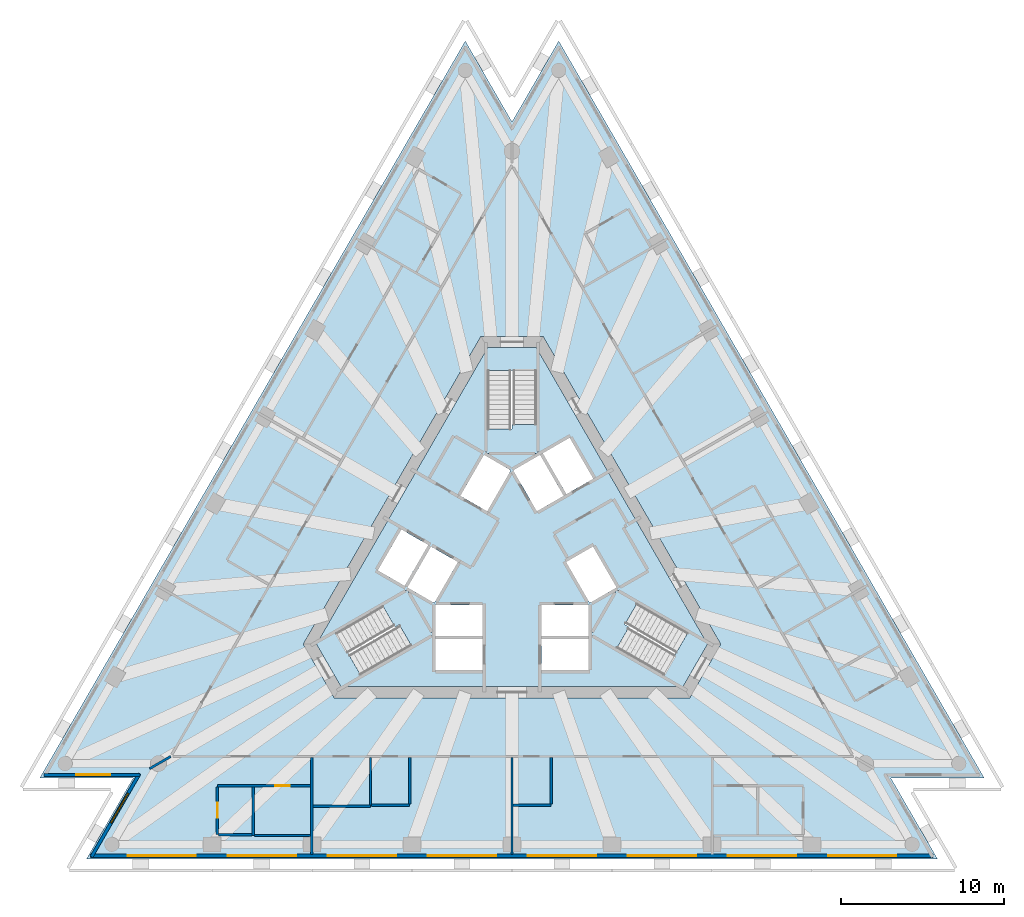
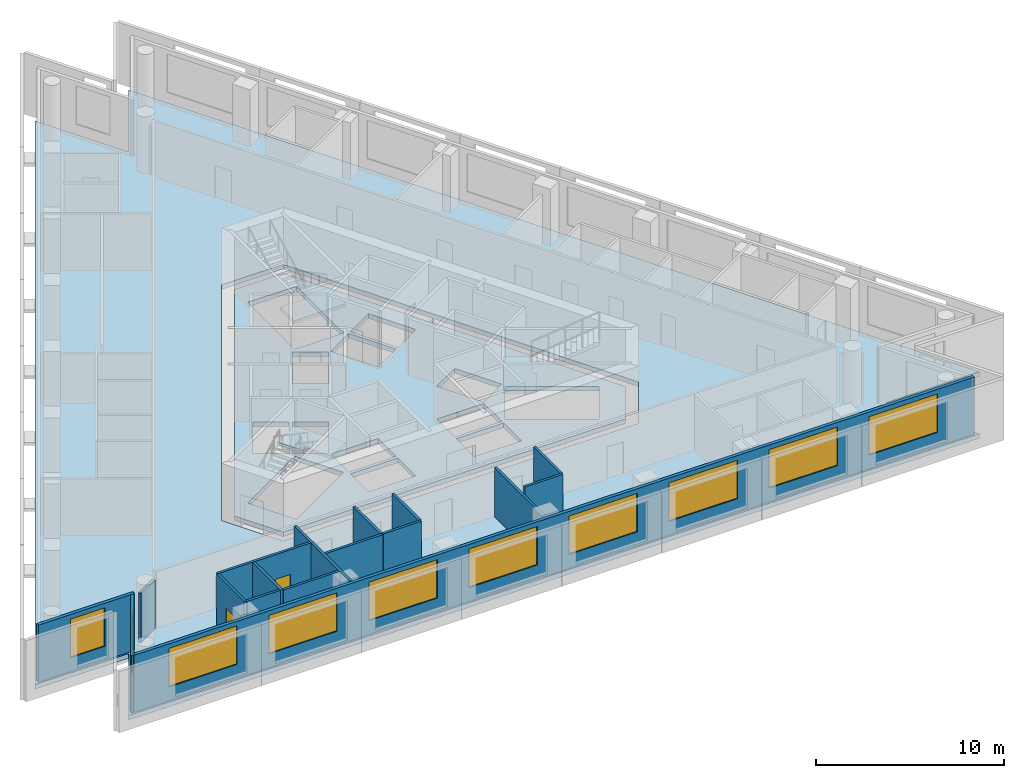
# One storey, part 2 of 9: 17 walls, 10 windows, 5 slabs, 2 doors, 12 openings, 3 elements without a shape of their own.
"""IFC4 building model written with IfcOpenShell, lengths in metres."""

from ifc_helpers import new_model, si_unit, direction, frame, frame_2d, origin, place, context, subcontext, project, spatial, polyline, rectangle, outline, extrude, material, layer, layer_set, layer_usage, type_object, element, fill, aggregate, save


model = new_model("IFC4")

# Units and contexts
model_context = context("Model", 3, precision=1e-05, world=origin(), true_north=direction((0.0, 1.0)))
body_context = subcontext(model_context, "Body", "Model", "MODEL_VIEW")
ifc_project = project(units=[si_unit("LENGTHUNIT", "METRE"), si_unit("AREAUNIT", "SQUARE_METRE"), si_unit("VOLUMEUNIT", "CUBIC_METRE"), si_unit("PLANEANGLEUNIT", "RADIAN"), si_unit("MASSUNIT", "GRAM", prefix="KILO")], contexts=[model_context])

# Site, building, storey
site_placement = place(None, origin())
site = spatial("IfcSite", under=ifc_project, at=site_placement, CompositionType="ELEMENT")
building_placement = place(site_placement, origin())
building = spatial("IfcBuilding", under=site, at=building_placement, Name="Triada Interchange Tower", CompositionType="ELEMENT")
storey_placement = place(building_placement, frame((0.0, 0.0, 207.300048828125)))
storey = spatial("IfcBuildingStorey", under=building, at=storey_placement, Name="L48", CompositionType="ELEMENT", Elevation=207.300048828125)

# Slabs
ifc_material_1 = material(Name="Concrete C50/60", Category="concrete")
ifc_layer_1 = layer(ifc_material_1, 0.300048828125)
ifc_layer_set_1 = layer_set([ifc_layer_1], Name="Floor slab 300")
slab_type_1 = type_object("IfcSlabType", Name="Floor slab 300", PredefinedType="FLOOR", material=ifc_layer_set_1)
slab_1_placement = place(storey_placement, frame((0.0, 0.0, -0.300048828125)))
element("IfcSlab", 1, at=slab_1_placement, inside=storey, type_object=slab_type_1, Name="Floor slab L48", PredefinedType="FLOOR", context=body_context, shape_type="SweptSolid", body=[
    extrude(outline(polyline([(-2.868896484375, 31.8349609375), (-29.0048828125, -13.43310546875), (-23.26708984375, -13.43310546875), (-26.135986328125, -18.402099609375), (26.135986328125, -18.402099609375), (23.26708984375, -13.43310546875), (29.0048828125, -13.43310546875), (2.868896484375, 31.8349609375), (0.0, 26.866943359375), (-2.868896484375, 31.8349609375)]), holes=[polyline([(1.905029296875, 13.699951171875), (-1.905029296875, 13.699951171875), (-12.81689453125, -5.199951171875), (-10.912109375, -8.5), (10.912109375, -8.5), (12.81689453125, -5.199951171875), (1.905029296875, 13.699951171875)])]), origin(), (0.0, 0.0, 1.0), 0.300048828125),
])
slab_2_placement = place(storey_placement, frame((0.0, 0.0, -0.300048828125)))
element("IfcSlab", 2, at=slab_2_placement, inside=storey, type_object=slab_type_1, Name="Core floor slab L48 1", PredefinedType="FLOOR", context=body_context, shape_type="SweptSolid", body=[
    extrude(outline(polyline([(12.009033203125, -5.199951171875), (10.508056640625, -7.800048828125), (-10.508056640625, -7.800048828125), (-12.009033203125, -5.199951171875), (-1.5009765625, 13.0), (1.5009765625, 13.0), (12.009033203125, -5.199951171875)]), holes=[polyline([(9.2958984375, -7.09912109375), (10.7958984375, -4.5009765625), (6.466064453125, -2.0009765625), (4.966064453125, -4.59912109375), (9.2958984375, -7.09912109375)]), polyline([(4.77490234375, -2.669921875), (6.419921875, -1.719970703125), (4.969970703125, 0.791015625), (4.137939453125, 0.31103515625), (3.324951171875, -0.158935546875), (4.77490234375, -2.669921875)]), polyline([(1.89404296875, 6.52001953125), (3.343994140625, 4.009033203125), (4.989013671875, 4.958984375), (3.5390625, 7.469970703125), (1.89404296875, 6.52001953125)]), polyline([(1.800048828125, -4.89990234375), (1.800048828125, -6.4990234375), (1.800048828125, -6.800048828125), (4.699951171875, -6.800048828125), (4.699951171875, -4.89990234375), (1.800048828125, -4.89990234375)]), polyline([(4.699951171875, -2.800048828125), (1.800048828125, -2.800048828125), (1.800048828125, -4.699951171875), (4.699951171875, -4.699951171875), (4.699951171875, -2.800048828125)]), polyline([(0.074951171875, 5.469970703125), (1.52490234375, 2.958984375), (3.169921875, 3.908935546875), (1.719970703125, 6.419921875), (0.074951171875, 5.469970703125)]), polyline([(-1.5, 11.60009765625), (-1.5, 6.60009765625), (1.5, 6.60009765625), (1.5, 11.60009765625), (-1.5, 11.60009765625)]), polyline([(-1.52490234375, 2.958984375), (-0.074951171875, 5.469970703125), (-1.719970703125, 6.419921875), (-3.169921875, 3.908935546875), (-1.52490234375, 2.958984375)]), polyline([(-1.800048828125, -2.800048828125), (-4.699951171875, -2.800048828125), (-4.699951171875, -4.699951171875), (-1.800048828125, -4.699951171875), (-1.800048828125, -2.800048828125)]), polyline([(-4.699951171875, -6.800048828125), (-1.800048828125, -6.800048828125), (-1.800048828125, -6.4990234375), (-1.800048828125, -4.89990234375), (-4.699951171875, -4.89990234375), (-4.699951171875, -6.800048828125)]), polyline([(-3.367919921875, -0.134033203125), (-4.969970703125, 0.791015625), (-6.419921875, -1.719970703125), (-4.77490234375, -2.669921875), (-3.324951171875, -0.158935546875), (-3.367919921875, -0.134033203125)]), polyline([(-10.7958984375, -4.5009765625), (-9.2958984375, -7.09912109375), (-4.966064453125, -4.59912109375), (-6.466064453125, -2.0009765625), (-10.7958984375, -4.5009765625)]), polyline([(-6.593994140625, -1.6201171875), (-5.14404296875, 0.89111328125), (-6.7890625, 1.841064453125), (-8.239013671875, -0.669921875), (-6.593994140625, -1.6201171875)])]), origin(), (0.0, 0.0, 1.0), 0.300048828125),
])

# Stair, slab
ifc_material_2 = material(Name="Concrete C35/45", Category="concrete")
stair_type = type_object("IfcStairType", Name="HALF TURN STAIR 1400", PredefinedType="HALF_TURN_STAIR", material=ifc_material_2)
stair_1_placement = place(storey_placement, origin())
stair_1 = element("IfcStair", 3, at=stair_1_placement, inside=storey, type_object=stair_type, Name="Exit stair S47-1", PredefinedType="HALF_TURN_STAIR")
ifc_layer_2 = layer(ifc_material_2, 0.199951171875)
ifc_layer_set_2 = layer_set([ifc_layer_2], Name="STAIR LANDING 200")
slab_type_2 = type_object("IfcSlabType", Name="STAIR LANDING 200", PredefinedType="LANDING", material=ifc_layer_set_2)
slab_3_placement = place(storey_placement, frame((0.0, 0.0, 1.719970703125)))
slab_3 = element("IfcSlab", 4, at=slab_3_placement, type_object=slab_type_2, Name="S47-1 landing 1", PredefinedType="LANDING", context=body_context, shape_type="SweptSolid", body=[
    extrude(outline(polyline([(1.60009765625, 6.5), (1.60009765625, 8.300048828125), (0.0, 8.300048828125), (0.0, 8.0), (-1.60009765625, 8.0), (-1.60009765625, 6.5), (1.60009765625, 6.5)])), origin(), (0.0, 0.0, 1.0), 0.199951171875),
])
aggregate(stair_1, [slab_3])

stair_2_placement = place(storey_placement, origin())
stair_2 = element("IfcStair", 5, at=stair_2_placement, inside=storey, type_object=stair_type, Name="Exit stair S47-2", PredefinedType="HALF_TURN_STAIR")
slab_4_placement = place(storey_placement, frame((0.0, 0.0, 1.719970703125)))
slab_4 = element("IfcSlab", 6, at=slab_4_placement, type_object=slab_type_2, Name="S47-2 landing 1", PredefinedType="LANDING", context=body_context, shape_type="SweptSolid", body=[
    extrude(outline(polyline([(-6.428955078125, -1.864013671875), (-7.988037109375, -2.763916015625), (-7.18798828125, -4.14990234375), (-6.927978515625, -4.0), (-6.1279296875, -5.385986328125), (-4.8291015625, -4.635986328125), (-6.428955078125, -1.864013671875)])), origin(), (0.0, 0.0, 1.0), 0.199951171875),
])
aggregate(stair_2, [slab_4])

stair_3_placement = place(storey_placement, origin())
stair_3 = element("IfcStair", 7, at=stair_3_placement, inside=storey, type_object=stair_type, Name="Exit stair S47-3", PredefinedType="HALF_TURN_STAIR")
slab_5_placement = place(storey_placement, frame((0.0, 0.0, 1.719970703125)))
slab_5 = element("IfcSlab", 8, at=slab_5_placement, type_object=slab_type_2, Name="S47-3 landing 1", PredefinedType="LANDING", context=body_context, shape_type="SweptSolid", body=[
    extrude(outline(polyline([(4.8291015625, -4.635986328125), (6.387939453125, -5.535888671875), (7.18798828125, -4.14990234375), (6.927978515625, -4.0), (7.72802734375, -2.614013671875), (6.428955078125, -1.864013671875), (4.8291015625, -4.635986328125)])), origin(), (0.0, 0.0, 1.0), 0.199951171875),
])
aggregate(stair_3, [slab_5])

# Wall, opening, window
ifc_material_3 = material(Name="Cement board")
ifc_layer_3 = layer(ifc_material_3, 0.02001953125, Name="Cement board cladding")
ifc_material_4 = material(Name="Sheathing board")
ifc_layer_4 = layer(ifc_material_4, 0.014892578125, Name="Sheathing board")
ifc_material_5 = material(Name="Mineral wool")
ifc_layer_5 = layer(ifc_material_5, 0.14990234375, Name="Mineral wool between steel studs")
ifc_material_6 = material(Name="Gypsum board")
ifc_layer_6 = layer(ifc_material_6, 0.014892578125, Name="Plasterboard lining")
ifc_layer_set_3 = layer_set([ifc_layer_3, ifc_layer_4, ifc_layer_5, ifc_layer_6], Name="External wall 200")
ifc_layer_usage = layer_usage(ifc_layer_set_3, "AXIS2", "POSITIVE", -0.10009765625)
wall_type_1 = type_object("IfcWallType", Name="External wall 200", PredefinedType="ELEMENTEDWALL", material=ifc_layer_set_3)
wall_1_placement = place(storey_placement, frame((-28.7490234375, -13.23291015625, 0.0), z_axis=(0.0, 0.0, 1.0), x_axis=(1.0, 0.0, 0.0)))
wall_1 = element("IfcWall", 9, at=wall_1_placement, inside=storey, type_object=wall_type_1, material=ifc_layer_usage, Name="External wall L48 SW-1", PredefinedType="ELEMENTEDWALL", context=body_context, shape_type="SweptSolid", body=[
    extrude(rectangle(XDim=5.89794921875, YDim=0.199951171875, at=frame_2d((2.948974609375, 0.0))), origin(), (0.0, 0.0, 1.0), 3.699951171875),
])
opening_1_placement = place(wall_1_placement, frame((1.989990234375, 0.0, 0.89990234375)))
opening_1 = element("IfcOpeningElement", 10, at=opening_1_placement, cuts=wall_1, Name="Opening WC09", PredefinedType="OPENING", context=body_context, shape_type="SweptSolid", body=[
    extrude(rectangle(XDim=2.10009765625, YDim=2.5, at=frame_2d((1.050048828125, 1.25))), frame((0.0, 0.10986328125, 0.0), z_axis=(0.0, -1.0, 0.0), x_axis=(1.0, 0.0, 0.0)), (0.0, 0.0, 1.0), 0.219970703125),
])
ifc_material_7 = material(Name="Double glazed aluminium window", Category="aluminium")
window_type_1 = type_object("IfcWindowType", Name="Ribbon window C pocket", PartitioningType="SINGLE_PANEL", PredefinedType="WINDOW", material=ifc_material_7)
window_1_placement = place(opening_1_placement, origin())
window_1 = element("IfcWindow", 11, at=window_1_placement, inside=storey, type_object=window_type_1, Name="Window L48 SW-1 1", OverallHeight=2.5, OverallWidth=2.10009765625, PartitioningType="SINGLE_PANEL", PredefinedType="WINDOW", context=body_context, shape_type="SweptSolid", body=[
    extrude(rectangle(XDim=2.10009765625, YDim=2.5, at=frame_2d((1.050048828125, 1.25))), frame((0.0, 0.030029296875, 0.0), z_axis=(0.0, -1.0, 0.0), x_axis=(1.0, 0.0, 0.0)), (0.0, 0.0, 1.0), 0.06005859375),
])
fill(opening_1, window_1)

wall_2_placement = place(storey_placement, frame((-22.8759765625, -13.155029296875, 0.0), z_axis=(0.0, 0.0, 1.0), x_axis=(-0.499989993172, -0.866031181152, 0.0)))
wall_2 = element("IfcWall", 12, at=wall_2_placement, inside=storey, type_object=wall_type_1, material=ifc_layer_usage, Name="External wall L48 SW-2", PredefinedType="ELEMENTEDWALL", context=body_context, shape_type="SweptSolid", body=[
    extrude(rectangle(XDim=5.89794921875, YDim=0.199951171875, at=frame_2d((2.948974609375, 0.0))), origin(), (0.0, 0.0, 1.0), 3.699951171875),
])
opening_2_placement = place(wall_2_placement, frame((1.389892578125, 0.0, 0.89990234375)))
opening_2 = element("IfcOpeningElement", 13, at=opening_2_placement, cuts=wall_2, Name="Opening WC10", PredefinedType="OPENING", context=body_context, shape_type="SweptSolid", body=[
    extrude(rectangle(XDim=2.10009765625, YDim=2.5, at=frame_2d((1.050048828125, 1.25))), frame((0.0, 0.10986328125, 0.0), z_axis=(0.0, -1.0, 0.0), x_axis=(1.0, 0.0, 0.0)), (0.0, 0.0, 1.0), 0.219970703125),
])
window_2_placement = place(opening_2_placement, origin())
window_2 = element("IfcWindow", 14, at=window_2_placement, inside=storey, type_object=window_type_1, Name="Window L48 SW-2 1", OverallHeight=2.5, OverallWidth=2.10009765625, PartitioningType="SINGLE_PANEL", PredefinedType="WINDOW", context=body_context, shape_type="SweptSolid", body=[
    extrude(rectangle(XDim=2.10009765625, YDim=2.5, at=frame_2d((1.050048828125, 1.25))), frame((0.0, 0.030029296875, 0.0), z_axis=(0.0, -1.0, 0.0), x_axis=(1.0, 0.0, 0.0)), (0.0, 0.0, 1.0), 0.06005859375),
])
fill(opening_2, window_2)

# Wall, openings, windows
wall_3_placement = place(storey_placement, frame((-25.8798828125, -18.201904296875, 0.0), z_axis=(0.0, 0.0, 1.0), x_axis=(1.0, 0.0, 0.0)))
wall_3 = element("IfcWall", 15, at=wall_3_placement, inside=storey, type_object=wall_type_1, material=ifc_layer_usage, Name="External wall L48 S", PredefinedType="ELEMENTEDWALL", context=body_context, shape_type="SweptSolid", body=[
    extrude(rectangle(XDim=51.739990234375, YDim=0.199951171875, at=frame_2d((25.8701171875, 0.0))), origin(), (0.0, 0.0, 1.0), 3.699951171875),
])
opening_3_placement = place(wall_3_placement, frame((2.27490234375, 0.0, 0.89990234375)))
opening_3 = element("IfcOpeningElement", 16, at=opening_3_placement, cuts=wall_3, Name="Opening WC11", PredefinedType="OPENING", context=body_context, shape_type="SweptSolid", body=[
    extrude(rectangle(XDim=4.199951171875, YDim=2.5, at=frame_2d((2.10009765625, 1.25))), frame((0.0, 0.10986328125, 0.0), z_axis=(0.0, -1.0, 0.0), x_axis=(1.0, 0.0, 0.0)), (0.0, 0.0, 1.0), 0.219970703125),
])
opening_4_placement = place(wall_3_placement, frame((8.4189453125, 0.0, 0.89990234375)))
opening_4 = element("IfcOpeningElement", 17, at=opening_4_placement, cuts=wall_3, Name="Opening WC12", PredefinedType="OPENING", context=body_context, shape_type="SweptSolid", body=[
    extrude(rectangle(XDim=4.199951171875, YDim=2.5, at=frame_2d((2.10009765625, 1.25))), frame((0.0, 0.10986328125, 0.0), z_axis=(0.0, -1.0, 0.0), x_axis=(1.0, 0.0, 0.0)), (0.0, 0.0, 1.0), 0.219970703125),
])
opening_5_placement = place(wall_3_placement, frame((14.56396484375, 0.0, 0.89990234375)))
opening_5 = element("IfcOpeningElement", 18, at=opening_5_placement, cuts=wall_3, Name="Opening WC13", PredefinedType="OPENING", context=body_context, shape_type="SweptSolid", body=[
    extrude(rectangle(XDim=4.199951171875, YDim=2.5, at=frame_2d((2.10009765625, 1.25))), frame((0.0, 0.10986328125, 0.0), z_axis=(0.0, -1.0, 0.0), x_axis=(1.0, 0.0, 0.0)), (0.0, 0.0, 1.0), 0.219970703125),
])
opening_6_placement = place(wall_3_placement, frame((20.7080078125, 0.0, 0.89990234375)))
opening_6 = element("IfcOpeningElement", 19, at=opening_6_placement, cuts=wall_3, Name="Opening WC14", PredefinedType="OPENING", context=body_context, shape_type="SweptSolid", body=[
    extrude(rectangle(XDim=4.199951171875, YDim=2.5, at=frame_2d((2.10009765625, 1.25))), frame((0.0, 0.10986328125, 0.0), z_axis=(0.0, -1.0, 0.0), x_axis=(1.0, 0.0, 0.0)), (0.0, 0.0, 1.0), 0.219970703125),
])
opening_7_placement = place(wall_3_placement, frame((26.85205078125, 0.0, 0.89990234375)))
opening_7 = element("IfcOpeningElement", 20, at=opening_7_placement, cuts=wall_3, Name="Opening WC15", PredefinedType="OPENING", context=body_context, shape_type="SweptSolid", body=[
    extrude(rectangle(XDim=4.199951171875, YDim=2.5, at=frame_2d((2.10009765625, 1.25))), frame((0.0, 0.10986328125, 0.0), z_axis=(0.0, -1.0, 0.0), x_axis=(1.0, 0.0, 0.0)), (0.0, 0.0, 1.0), 0.219970703125),
])
opening_8_placement = place(wall_3_placement, frame((32.99609375, 0.0, 0.89990234375)))
opening_8 = element("IfcOpeningElement", 21, at=opening_8_placement, cuts=wall_3, Name="Opening WC16", PredefinedType="OPENING", context=body_context, shape_type="SweptSolid", body=[
    extrude(rectangle(XDim=4.199951171875, YDim=2.5, at=frame_2d((2.10009765625, 1.25))), frame((0.0, 0.10986328125, 0.0), z_axis=(0.0, -1.0, 0.0), x_axis=(1.0, 0.0, 0.0)), (0.0, 0.0, 1.0), 0.219970703125),
])
opening_9_placement = place(wall_3_placement, frame((39.14111328125, 0.0, 0.89990234375)))
opening_9 = element("IfcOpeningElement", 22, at=opening_9_placement, cuts=wall_3, Name="Opening WC17", PredefinedType="OPENING", context=body_context, shape_type="SweptSolid", body=[
    extrude(rectangle(XDim=4.199951171875, YDim=2.5, at=frame_2d((2.10009765625, 1.25))), frame((0.0, 0.10986328125, 0.0), z_axis=(0.0, -1.0, 0.0), x_axis=(1.0, 0.0, 0.0)), (0.0, 0.0, 1.0), 0.219970703125),
])
opening_10_placement = place(wall_3_placement, frame((45.284912109375, 0.0, 0.89990234375)))
opening_10 = element("IfcOpeningElement", 23, at=opening_10_placement, cuts=wall_3, Name="Opening WC18", PredefinedType="OPENING", context=body_context, shape_type="SweptSolid", body=[
    extrude(rectangle(XDim=4.199951171875, YDim=2.5, at=frame_2d((2.10009765625, 1.25))), frame((0.0, 0.10986328125, 0.0), z_axis=(0.0, -1.0, 0.0), x_axis=(1.0, 0.0, 0.0)), (0.0, 0.0, 1.0), 0.219970703125),
])
window_type_2 = type_object("IfcWindowType", Name="Ribbon window C face", PartitioningType="SINGLE_PANEL", PredefinedType="WINDOW", material=ifc_material_7)
window_3_placement = place(opening_3_placement, origin())
window_3 = element("IfcWindow", 24, at=window_3_placement, inside=storey, type_object=window_type_2, Name="Window L48 S 1", OverallHeight=2.5, OverallWidth=4.199951171875, PartitioningType="SINGLE_PANEL", PredefinedType="WINDOW", context=body_context, shape_type="SweptSolid", body=[
    extrude(rectangle(XDim=4.199951171875, YDim=2.5, at=frame_2d((2.10009765625, 1.25))), frame((0.0, 0.030029296875, 0.0), z_axis=(0.0, -1.0, 0.0), x_axis=(1.0, 0.0, 0.0)), (0.0, 0.0, 1.0), 0.06005859375),
])
fill(opening_3, window_3)
window_4_placement = place(opening_4_placement, origin())
window_4 = element("IfcWindow", 25, at=window_4_placement, inside=storey, type_object=window_type_2, Name="Window L48 S 2", OverallHeight=2.5, OverallWidth=4.199951171875, PartitioningType="SINGLE_PANEL", PredefinedType="WINDOW", context=body_context, shape_type="SweptSolid", body=[
    extrude(rectangle(XDim=4.199951171875, YDim=2.5, at=frame_2d((2.10009765625, 1.25))), frame((0.0, 0.030029296875, 0.0), z_axis=(0.0, -1.0, 0.0), x_axis=(1.0, 0.0, 0.0)), (0.0, 0.0, 1.0), 0.06005859375),
])
fill(opening_4, window_4)
window_5_placement = place(opening_5_placement, origin())
window_5 = element("IfcWindow", 26, at=window_5_placement, inside=storey, type_object=window_type_2, Name="Window L48 S 3", OverallHeight=2.5, OverallWidth=4.199951171875, PartitioningType="SINGLE_PANEL", PredefinedType="WINDOW", context=body_context, shape_type="SweptSolid", body=[
    extrude(rectangle(XDim=4.199951171875, YDim=2.5, at=frame_2d((2.10009765625, 1.25))), frame((0.0, 0.030029296875, 0.0), z_axis=(0.0, -1.0, 0.0), x_axis=(1.0, 0.0, 0.0)), (0.0, 0.0, 1.0), 0.06005859375),
])
fill(opening_5, window_5)
window_6_placement = place(opening_6_placement, origin())
window_6 = element("IfcWindow", 27, at=window_6_placement, inside=storey, type_object=window_type_2, Name="Window L48 S 4", OverallHeight=2.5, OverallWidth=4.199951171875, PartitioningType="SINGLE_PANEL", PredefinedType="WINDOW", context=body_context, shape_type="SweptSolid", body=[
    extrude(rectangle(XDim=4.199951171875, YDim=2.5, at=frame_2d((2.10009765625, 1.25))), frame((0.0, 0.030029296875, 0.0), z_axis=(0.0, -1.0, 0.0), x_axis=(1.0, 0.0, 0.0)), (0.0, 0.0, 1.0), 0.06005859375),
])
fill(opening_6, window_6)
window_7_placement = place(opening_7_placement, origin())
window_7 = element("IfcWindow", 28, at=window_7_placement, inside=storey, type_object=window_type_2, Name="Window L48 S 5", OverallHeight=2.5, OverallWidth=4.199951171875, PartitioningType="SINGLE_PANEL", PredefinedType="WINDOW", context=body_context, shape_type="SweptSolid", body=[
    extrude(rectangle(XDim=4.199951171875, YDim=2.5, at=frame_2d((2.10009765625, 1.25))), frame((0.0, 0.030029296875, 0.0), z_axis=(0.0, -1.0, 0.0), x_axis=(1.0, 0.0, 0.0)), (0.0, 0.0, 1.0), 0.06005859375),
])
fill(opening_7, window_7)
window_8_placement = place(opening_8_placement, origin())
window_8 = element("IfcWindow", 29, at=window_8_placement, inside=storey, type_object=window_type_2, Name="Window L48 S 6", OverallHeight=2.5, OverallWidth=4.199951171875, PartitioningType="SINGLE_PANEL", PredefinedType="WINDOW", context=body_context, shape_type="SweptSolid", body=[
    extrude(rectangle(XDim=4.199951171875, YDim=2.5, at=frame_2d((2.10009765625, 1.25))), frame((0.0, 0.030029296875, 0.0), z_axis=(0.0, -1.0, 0.0), x_axis=(1.0, 0.0, 0.0)), (0.0, 0.0, 1.0), 0.06005859375),
])
fill(opening_8, window_8)
window_9_placement = place(opening_9_placement, origin())
window_9 = element("IfcWindow", 30, at=window_9_placement, inside=storey, type_object=window_type_2, Name="Window L48 S 7", OverallHeight=2.5, OverallWidth=4.199951171875, PartitioningType="SINGLE_PANEL", PredefinedType="WINDOW", context=body_context, shape_type="SweptSolid", body=[
    extrude(rectangle(XDim=4.199951171875, YDim=2.5, at=frame_2d((2.10009765625, 1.25))), frame((0.0, 0.030029296875, 0.0), z_axis=(0.0, -1.0, 0.0), x_axis=(1.0, 0.0, 0.0)), (0.0, 0.0, 1.0), 0.06005859375),
])
fill(opening_9, window_9)
window_10_placement = place(opening_10_placement, origin())
window_10 = element("IfcWindow", 31, at=window_10_placement, inside=storey, type_object=window_type_2, Name="Window L48 S 8", OverallHeight=2.5, OverallWidth=4.199951171875, PartitioningType="SINGLE_PANEL", PredefinedType="WINDOW", context=body_context, shape_type="SweptSolid", body=[
    extrude(rectangle(XDim=4.199951171875, YDim=2.5, at=frame_2d((2.10009765625, 1.25))), frame((0.0, 0.030029296875, 0.0), z_axis=(0.0, -1.0, 0.0), x_axis=(1.0, 0.0, 0.0)), (0.0, 0.0, 1.0), 0.06005859375),
])
fill(opening_10, window_10)

# Walls
ifc_material_8 = material(Name="Gypsum board partition")
ifc_layer_7 = layer(ifc_material_8, 0.14990234375)
ifc_layer_set_4 = layer_set([ifc_layer_7], Name="PARTITION 150 EI 180")
wall_type_2 = type_object("IfcWallType", Name="PARTITION 150 EI 180", PredefinedType="PARTITIONING", material=ifc_layer_set_4)
wall_4_placement = place(storey_placement, frame((-22.2451171875, -12.843017578125, 0.0), z_axis=(0.0, 0.0, 1.0), x_axis=(0.865961433946, 0.500110782645, 0.0)))
element("IfcWall", 32, at=wall_4_placement, inside=storey, type_object=wall_type_2, Name="Wall L47 1", PredefinedType="PARTITIONING", context=body_context, shape_type="SweptSolid", body=[
    extrude(rectangle(XDim=1.487548828125, YDim=0.14990234375, at=frame_2d((0.74365234375, 0.0))), origin(), (0.0, 0.0, 1.0), 3.199951171875),
])
wall_5_placement = place(storey_placement, frame((-12.2880859375, -18.1220703125, 0.0), z_axis=(0.0, 0.0, 1.0), x_axis=(0.0, 1.0, 0.0)))
element("IfcWall", 33, at=wall_5_placement, inside=storey, type_object=wall_type_2, Name="Wall L47 12", PredefinedType="PARTITIONING", context=body_context, shape_type="SweptSolid", body=[
    extrude(rectangle(XDim=5.947021484375, YDim=0.14990234375, at=frame_2d((2.9736328125, 0.0))), origin(), (0.0, 0.0, 1.0), 3.699951171875),
])
wall_6_placement = place(storey_placement, frame((-12.212890625, -15.15087890625, 0.0), z_axis=(0.0, 0.0, 1.0), x_axis=(1.0, 0.0, 0.0)))
element("IfcWall", 34, at=wall_6_placement, inside=storey, type_object=wall_type_2, Name="Wall L47 13", PredefinedType="PARTITIONING", context=body_context, shape_type="SweptSolid", body=[
    extrude(rectangle(XDim=3.52490234375, YDim=0.14990234375, at=frame_2d((1.762451171875, 0.0))), origin(), (0.0, 0.0, 1.0), 3.699951171875),
])
wall_7_placement = place(storey_placement, frame((-8.68798828125, -15.075927734375, 0.0), z_axis=(0.0, 0.0, 1.0), x_axis=(0.0, 1.0, 0.0)))
element("IfcWall", 35, at=wall_7_placement, inside=storey, type_object=wall_type_2, Name="Wall L47 14", PredefinedType="PARTITIONING", context=body_context, shape_type="SweptSolid", body=[
    extrude(rectangle(XDim=2.90087890625, YDim=0.14990234375, at=frame_2d((1.450439453125, 0.0))), origin(), (0.0, 0.0, 1.0), 3.699951171875),
])
for number, where, z_axis, x_axis, name in (
    (36, (-8.613037109375, -15.10009765625, 0.0), (0.0, 0.0, 1.0), (1.0, 0.0, 0.0), "Wall L47 16"),
    (37, (0.074951171875, -15.10009765625, 0.0), (0.0, 0.0, 1.0), (1.0, 0.0, 0.0), "Wall L47 17"),
):
    element("IfcWall", number, at=place(storey_placement, frame(where, z_axis=z_axis, x_axis=x_axis)), inside=storey, type_object=wall_type_2, Name=name, PredefinedType="PARTITIONING", context=body_context, shape_type="SweptSolid", body=[
        extrude(rectangle(XDim=2.324951171875, YDim=0.14990234375, at=frame_2d((1.16259765625, 0.0))), origin(), (0.0, 0.0, 1.0), 3.699951171875),
    ])
wall_8_placement = place(storey_placement, frame((-6.2880859375, -15.02490234375, 0.0), z_axis=(0.0, 0.0, 1.0), x_axis=(0.0, 1.0, 0.0)))
element("IfcWall", 38, at=wall_8_placement, inside=storey, type_object=wall_type_2, Name="Wall L47 18", PredefinedType="PARTITIONING", context=body_context, shape_type="SweptSolid", body=[
    extrude(rectangle(XDim=2.849853515625, YDim=0.14990234375, at=frame_2d((1.4248046875, 0.0))), origin(), (0.0, 0.0, 1.0), 3.699951171875),
])
wall_9_placement = place(storey_placement, frame((0.0, -18.1220703125, 0.0), z_axis=(0.0, 0.0, 1.0), x_axis=(0.0, 1.0, 0.0)))
element("IfcWall", 39, at=wall_9_placement, inside=storey, type_object=wall_type_2, Name="Wall L47 19", PredefinedType="PARTITIONING", context=body_context, shape_type="SweptSolid", body=[
    extrude(rectangle(XDim=5.947021484375, YDim=0.14990234375, at=frame_2d((2.9736328125, 0.0))), origin(), (0.0, 0.0, 1.0), 3.199951171875),
])
wall_10_placement = place(storey_placement, frame((2.39990234375, -15.02490234375, 0.0), z_axis=(0.0, 0.0, 1.0), x_axis=(0.0, 1.0, 0.0)))
element("IfcWall", 40, at=wall_10_placement, inside=storey, type_object=wall_type_2, Name="Wall L47 21", PredefinedType="PARTITIONING", context=body_context, shape_type="SweptSolid", body=[
    extrude(rectangle(XDim=2.849853515625, YDim=0.14990234375, at=frame_2d((1.4248046875, 0.0))), origin(), (0.0, 0.0, 1.0), 3.699951171875),
])
ifc_layer_8 = layer(ifc_material_8, 0.14990234375)
ifc_layer_set_5 = layer_set([ifc_layer_8], Name="PARTITION 150 EI 90")
wall_type_3 = type_object("IfcWallType", Name="PARTITION 150 EI 90", PredefinedType="PARTITIONING", material=ifc_layer_set_5)
wall_11_placement = place(storey_placement, frame((-15.887939453125, -16.950927734375, 0.0), z_axis=(0.0, 0.0, 1.0), x_axis=(0.0, 1.0, 0.0)))
element("IfcWall", 41, at=wall_11_placement, inside=storey, type_object=wall_type_3, Name="Wall L47 31", PredefinedType="PARTITIONING", context=body_context, shape_type="SweptSolid", body=[
    extrude(rectangle(XDim=2.975830078125, YDim=0.14990234375, at=frame_2d((1.48779296875, 0.0))), origin(), (0.0, 0.0, 1.0), 3.699951171875),
])

# Wall, opening, door
wall_12_placement = place(storey_placement, frame((-18.087890625, -13.89990234375, 0.0), z_axis=(0.0, 0.0, 1.0), x_axis=(1.0, 0.0, 0.0)))
wall_12 = element("IfcWall", 42, at=wall_12_placement, inside=storey, type_object=wall_type_3, Name="Wall L47 32", PredefinedType="PARTITIONING", context=body_context, shape_type="SweptSolid", body=[
    extrude(rectangle(XDim=5.724853515625, YDim=0.14990234375, at=frame_2d((2.8623046875, 0.0))), origin(), (0.0, 0.0, 1.0), 3.699951171875),
])
opening_11_placement = place(wall_12_placement, frame((3.550048828125, 0.0, 0.0)))
opening_11 = element("IfcOpeningElement", 43, at=opening_11_placement, cuts=wall_12, Name="Opening D47-12", PredefinedType="OPENING", context=body_context, shape_type="SweptSolid", body=[
    extrude(rectangle(XDim=0.89990234375, YDim=2.10009765625, at=frame_2d((0.449951171875, 1.050048828125))), frame((0.0, 0.0849609375, 0.0), z_axis=(0.0, -1.0, 0.0), x_axis=(1.0, 0.0, 0.0)), (0.0, 0.0, 1.0), 0.169921875),
])
ifc_material_9 = material(Name="Steel S235 door leaf", Category="steel")
door_type_1 = type_object("IfcDoorType", Name="ROOM DOOR 900 EI2 45-C5S200", OperationType="NOTDEFINED", PredefinedType="DOOR", material=ifc_material_9)
door_1_placement = place(opening_11_placement, origin())
door_1 = element("IfcDoor", 44, at=door_1_placement, inside=storey, type_object=door_type_1, Name="Door D47-12 L48", OperationType="SINGLE_SWING_LEFT", OverallHeight=2.10009765625, OverallWidth=0.89990234375, PredefinedType="DOOR", context=body_context, shape_type="SweptSolid", body=[
    extrude(rectangle(XDim=0.89990234375, YDim=2.10009765625, at=frame_2d((0.449951171875, 1.050048828125))), frame((0.0, 0.02490234375, 0.0), z_axis=(0.0, -1.0, 0.0), x_axis=(1.0, 0.0, 0.0)), (0.0, 0.0, 1.0), 0.050048828125),
])
fill(opening_11, door_1)

wall_13_placement = place(storey_placement, frame((-18.087890625, -16.89990234375, 0.0), z_axis=(0.0, 0.0, 1.0), x_axis=(0.0, 1.0, 0.0)))
wall_13 = element("IfcWall", 45, at=wall_13_placement, inside=storey, type_object=wall_type_3, Name="Wall L47 34", PredefinedType="PARTITIONING", context=body_context, shape_type="SweptSolid", body=[
    extrude(rectangle(XDim=2.9248046875, YDim=0.14990234375, at=frame_2d((1.46240234375, 0.0))), origin(), (0.0, 0.0, 1.0), 3.699951171875),
])
opening_12_placement = place(wall_13_placement, frame((1.050048828125, 0.0, 0.0)))
opening_12 = element("IfcOpeningElement", 46, at=opening_12_placement, cuts=wall_13, Name="Opening D47-13", PredefinedType="OPENING", context=body_context, shape_type="SweptSolid", body=[
    extrude(rectangle(XDim=0.89990234375, YDim=2.10009765625, at=frame_2d((0.449951171875, 1.050048828125))), frame((0.0, 0.0849609375, 0.0), z_axis=(0.0, -1.0, 0.0), x_axis=(1.0, 0.0, 0.0)), (0.0, 0.0, 1.0), 0.169921875),
])
door_type_2 = type_object("IfcDoorType", Name="SERVICE DOOR 900 EI2 45-C5S200", OperationType="NOTDEFINED", PredefinedType="DOOR", material=ifc_material_9)
door_2_placement = place(opening_12_placement, origin())
door_2 = element("IfcDoor", 47, at=door_2_placement, inside=storey, type_object=door_type_2, Name="Door D47-13 L48", OperationType="SINGLE_SWING_RIGHT", OverallHeight=2.10009765625, OverallWidth=0.89990234375, PredefinedType="DOOR", context=body_context, shape_type="SweptSolid", body=[
    extrude(rectangle(XDim=0.89990234375, YDim=2.10009765625, at=frame_2d((0.449951171875, 1.050048828125))), frame((0.0, 0.02490234375, 0.0), z_axis=(0.0, -1.0, 0.0), x_axis=(1.0, 0.0, 0.0)), (0.0, 0.0, 1.0), 0.050048828125),
])
fill(opening_12, door_2)

# Walls
wall_14_placement = place(storey_placement, frame((-18.012939453125, -16.89990234375, 0.0), z_axis=(0.0, 0.0, 1.0), x_axis=(1.0, 0.0, 0.0)))
element("IfcWall", 48, at=wall_14_placement, inside=storey, type_object=wall_type_3, Name="Wall L47 35", PredefinedType="PARTITIONING", context=body_context, shape_type="SweptSolid", body=[
    extrude(rectangle(XDim=2.050048828125, YDim=0.14990234375, at=frame_2d((1.02490234375, 0.0))), origin(), (0.0, 0.0, 1.0), 3.699951171875),
])
wall_15_placement = place(storey_placement, frame((-15.81298828125, -16.950927734375, 0.0), z_axis=(0.0, 0.0, 1.0), x_axis=(1.0, 0.0, 0.0)))
element("IfcWall", 49, at=wall_15_placement, inside=storey, type_object=wall_type_3, Name="Wall L47 36", PredefinedType="PARTITIONING", context=body_context, shape_type="SweptSolid", body=[
    extrude(rectangle(XDim=3.449951171875, YDim=0.14990234375, at=frame_2d((1.72509765625, 0.0))), origin(), (0.0, 0.0, 1.0), 3.699951171875),
])

save(model, "model.ifc")
